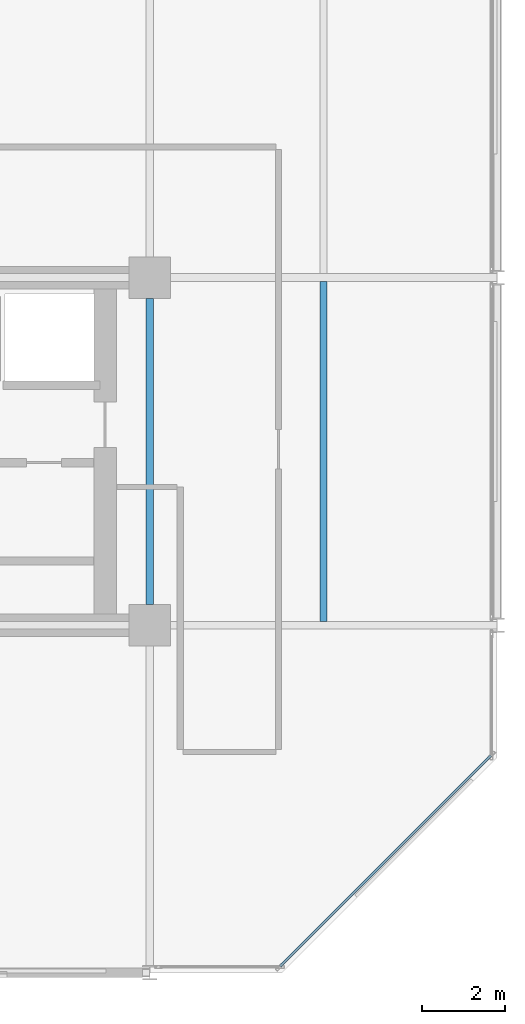
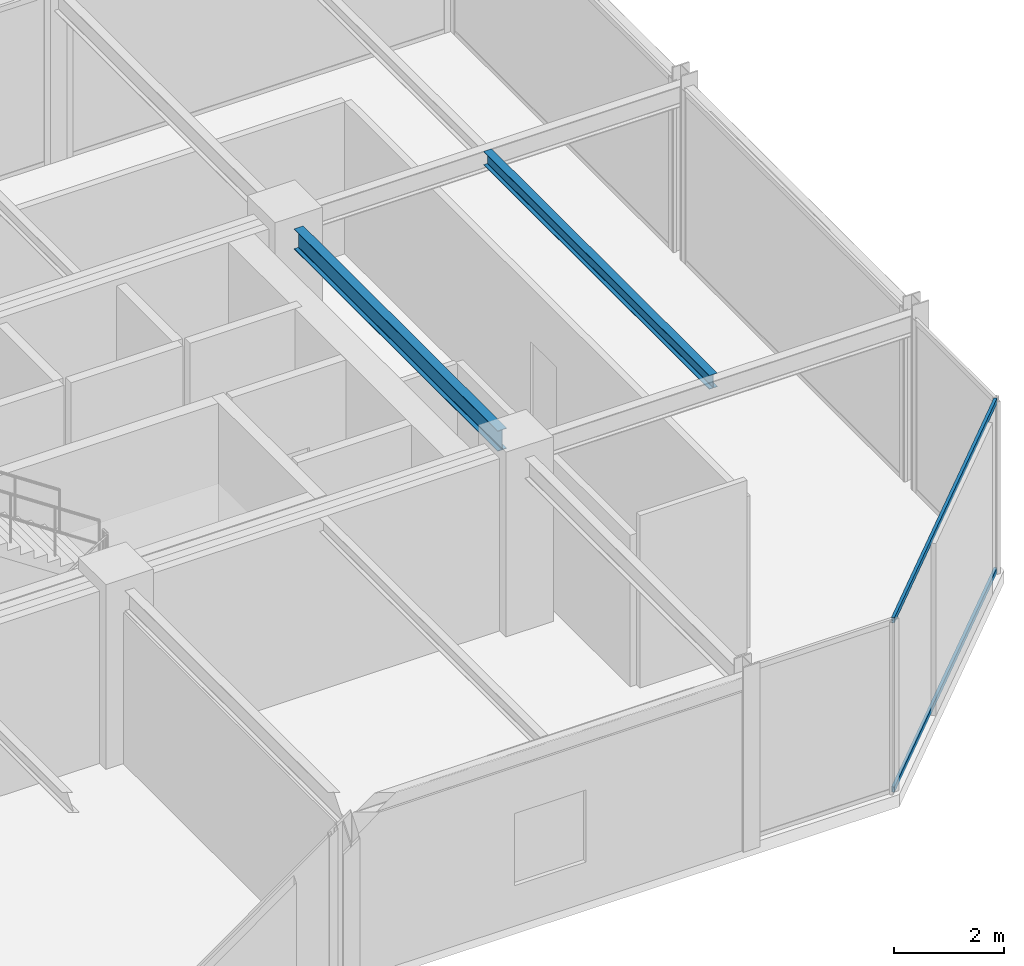
# One storey, part 12 of 29: 2 beams, 2 members, 1 element without a shape of its own.
"""IFC4 building model written with IfcOpenShell, lengths in metres."""

from ifc_helpers import new_model, si_unit, direction, frame, origin, origin_2d, place, context, subcontext, project, spatial, hollow_rectangle, i_section, extrude, material, layer, layer_set, material_profile, profile_set, type_object, element, aggregate, save


model = new_model("IFC4")

# Units and contexts
model_context = context("Model", 3, precision=1e-05, world=origin(), true_north=direction((0.0, 1.0)))
body_context = subcontext(model_context, "Body", "Model", "MODEL_VIEW")
ifc_project = project(units=[si_unit("LENGTHUNIT", "METRE"), si_unit("AREAUNIT", "SQUARE_METRE"), si_unit("VOLUMEUNIT", "CUBIC_METRE"), si_unit("PLANEANGLEUNIT", "RADIAN"), si_unit("MASSUNIT", "GRAM", prefix="KILO")], contexts=[model_context])

# Site, building, storey
site_placement = place(None, origin())
site = spatial("IfcSite", under=ifc_project, at=site_placement, CompositionType="ELEMENT")
building_placement = place(site_placement, origin())
building = spatial("IfcBuilding", under=site, at=building_placement, Name="Nerrivon Quay Data Exchange", CompositionType="ELEMENT")
storey_placement = place(building_placement, frame((0.0, 0.0, 187.800048828125)))
storey = spatial("IfcBuildingStorey", under=building, at=storey_placement, Name="L44", CompositionType="ELEMENT", Elevation=187.800048828125)

# Beams
ifc_material_1 = material(Name="Steel Grade 350", Category="steel")
ifc_material_profile_1 = material_profile(ifc_material_1, i_section(OverallWidth=0.18994140625, OverallDepth=0.4541015625, WebThickness=0.008544921875, FlangeThickness=0.0126953125, FilletRadius=0.011474609375, at=origin_2d()), Name="460UB67.1")
ifc_profile_set_1 = profile_set([ifc_material_profile_1], Name="Steel Grade 350")
beam_type_1 = type_object("IfcBeamType", Name="BM-G6-460UB67", PredefinedType="BEAM", material=ifc_profile_set_1)
beam_1_placement = place(storey_placement, frame((33.60009765625, 8.89990234375, 3.597900390625), z_axis=(0.0, 1.0, 0.0), x_axis=(-1.0, 0.0, 0.0)))
element("IfcBeam", 1, at=beam_1_placement, inside=storey, type_object=beam_type_1, Name="L44 NS Girder X=33.6 (8.4..16.8)", PredefinedType="BEAM", context=body_context, shape_type="SweptSolid", body=[
    extrude(i_section(OverallWidth=0.18994140625, OverallDepth=0.4541015625, WebThickness=0.008544921875, FlangeThickness=0.0126953125, FilletRadius=0.011474609375, at=origin_2d()), origin(), (0.0, 0.0, 1.0), 7.400146484375),
])
ifc_material_profile_2 = material_profile(ifc_material_1, i_section(OverallWidth=0.166015625, OverallDepth=0.306884765625, WebThickness=0.006591796875, FlangeThickness=0.01171875, FilletRadius=0.011474609375, at=origin_2d()), Name="310UB46.2")
ifc_profile_set_2 = profile_set([ifc_material_profile_2], Name="Steel Grade 350")
beam_type_2 = type_object("IfcBeamType", Name="BM-J5-310UB46", PredefinedType="JOIST", material=ifc_profile_set_2)
beam_2_placement = place(storey_placement, frame((37.800048828125, 8.49560546875, 3.67138671875), z_axis=(0.0, 1.0, 0.0), x_axis=(-1.0, 0.0, 0.0)))
element("IfcBeam", 2, at=beam_2_placement, inside=storey, type_object=beam_type_2, Name="L44 Secondary Joist X=37.8 (8.4..16.8)", PredefinedType="JOIST", context=body_context, shape_type="SweptSolid", body=[
    extrude(i_section(OverallWidth=0.166015625, OverallDepth=0.306884765625, WebThickness=0.006591796875, FlangeThickness=0.01171875, FilletRadius=0.011474609375, at=origin_2d()), origin(), (0.0, 0.0, 1.0), 8.208984375),
])

# Curtain wall, members
ifc_material_2 = material(Name="Anodised aluminium 6063-T6", Category="aluminium")
ifc_layer = layer(ifc_material_2, 0.195068359375)
ifc_layer_set = layer_set([ifc_layer], Name="Anodised aluminium 6063-T6")
curtain_wall_type = type_object("IfcCurtainWallType", Name="CW-SYS-06", PredefinedType="NOTDEFINED", material=ifc_layer_set)
curtain_wall_placement = place(storey_placement, origin())
curtain_wall = element("IfcCurtainWall", 3, at=curtain_wall_placement, inside=storey, type_object=curtain_wall_type, Name="L44 Unitised Curtain Wall 21", PredefinedType="NOTDEFINED")
ifc_material_profile_3 = material_profile(ifc_material_2, hollow_rectangle(XDim=0.06005859375, YDim=0.1201171875, WallThickness=0.003173828125, at=origin_2d()), Name="ALU-TRAN-120x60")
ifc_profile_set_3 = profile_set([ifc_material_profile_3], Name="Anodised aluminium 6063-T6")
member_type = type_object("IfcMemberType", Name="CWT-120x60", PredefinedType="USERDEFINED", material=ifc_profile_set_3)
member_1_placement = place(storey_placement, frame((41.847900390625, 5.245849609375, 0.032470703125), z_axis=(-0.707106781187, -0.707106781187, 0.0), x_axis=(0.707106781187, -0.707106781187, 0.0)))
member_1 = element("IfcMember", 4, at=member_1_placement, type_object=member_type, Name="CW06 transom 1.1", ObjectType="TRANSOM", PredefinedType="USERDEFINED", context=body_context, shape_type="SweptSolid", body=[
    extrude(hollow_rectangle(XDim=0.06005859375, YDim=0.1201171875, WallThickness=0.003173828125, at=origin_2d()), origin(), (0.0, 0.0, 1.0), 7.20361328125),
])
member_2_placement = place(storey_placement, frame((41.847900390625, 5.245849609375, 3.79248046875), z_axis=(-0.707106781187, -0.707106781187, 0.0), x_axis=(0.707106781187, -0.707106781187, 0.0)))
member_2 = element("IfcMember", 5, at=member_2_placement, type_object=member_type, Name="CW06 transom 1.2", ObjectType="TRANSOM", PredefinedType="USERDEFINED", context=body_context, shape_type="SweptSolid", body=[
    extrude(hollow_rectangle(XDim=0.06005859375, YDim=0.1201171875, WallThickness=0.003173828125, at=origin_2d()), origin(), (0.0, 0.0, 1.0), 7.20361328125),
])
aggregate(curtain_wall, [member_1, member_2])

save(model, "model.ifc")
